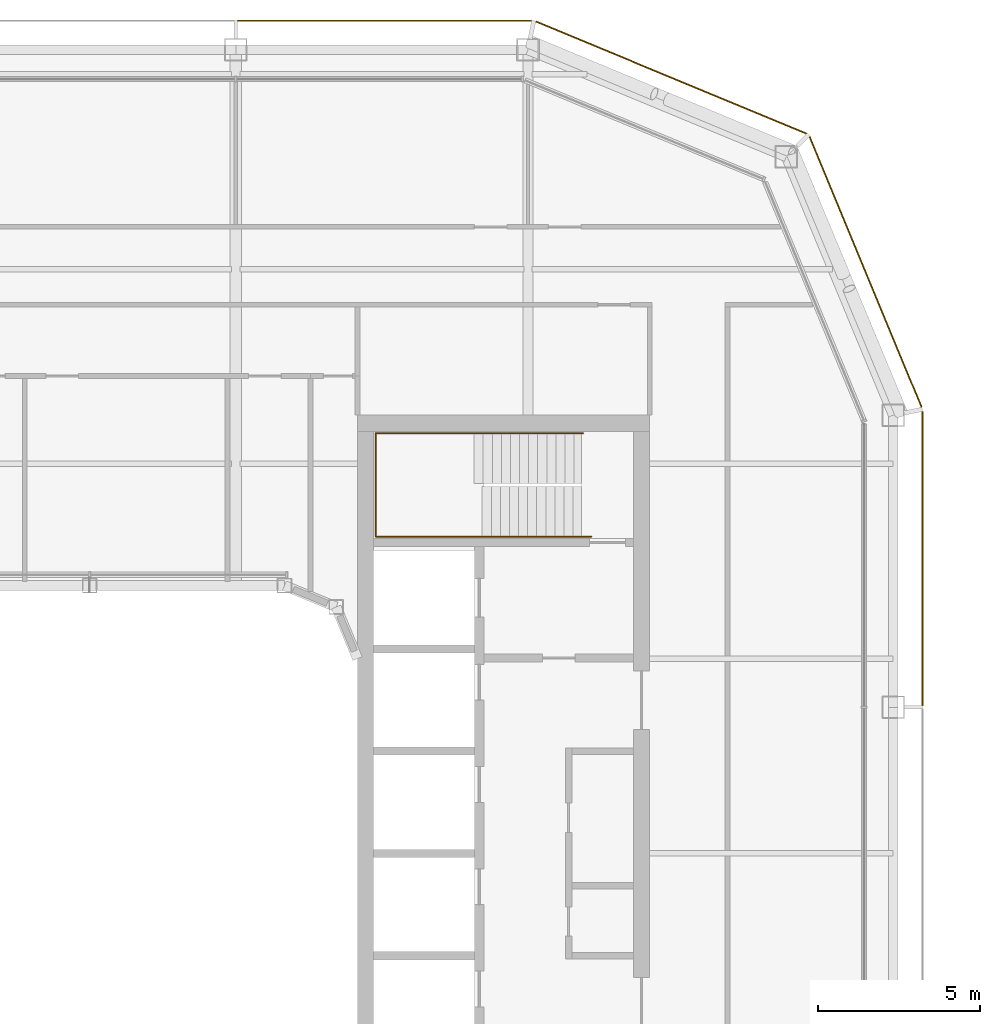
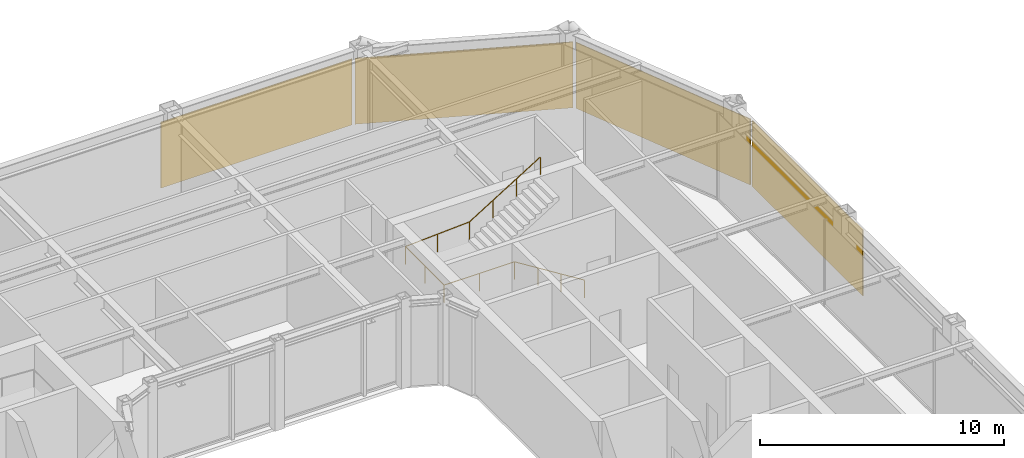
# One storey, part 20 of 21: 4 coverings, 1 railing.
"""IFC4 building model written with IfcOpenShell, lengths in metres."""

from ifc_helpers import new_model, si_unit, direction, frame, origin, origin_2d, place, context, subcontext, project, spatial, rectangle, circle, extrude, material, layer, layer_set, type_object, element, save


model = new_model("IFC4")

# Units and contexts
model_context = context("Model", 3, precision=1e-05, world=origin(), true_north=direction((0.0, 1.0)))
body_context = subcontext(model_context, "Body", "Model", "MODEL_VIEW")
ifc_project = project(units=[si_unit("LENGTHUNIT", "METRE"), si_unit("AREAUNIT", "SQUARE_METRE"), si_unit("VOLUMEUNIT", "CUBIC_METRE"), si_unit("PLANEANGLEUNIT", "RADIAN"), si_unit("MASSUNIT", "GRAM", prefix="KILO")], contexts=[model_context])

# Site, building, storey
site_placement = place(None, origin())
site = spatial("IfcSite", under=ifc_project, at=site_placement, CompositionType="ELEMENT")
building_placement = place(site_placement, origin())
building = spatial("IfcBuilding", under=site, at=building_placement, Name="Siwar Civic Tower", CompositionType="ELEMENT")
storey_placement = place(building_placement, frame((0.0, 0.0, 339.199951171875)))
storey = spatial("IfcBuildingStorey", under=building, at=storey_placement, Name="L73", CompositionType="ELEMENT", Elevation=339.199951171875)

# Railing
ifc_material_1 = material(Name="Stainless steel", Category="steel")
railing_type = type_object("IfcRailingType", Name="CORE-STAIR-HANDRAIL", PredefinedType="HANDRAIL", material=ifc_material_1)
railing_placement = place(storey_placement, frame((15.449951171875, 9.758056640625, 0.173095703125)))
element("IfcRailing", 1, at=railing_placement, inside=storey, type_object=railing_type, Name="Stair handrail ST3", PredefinedType="HANDRAIL", context=body_context, shape_type="SweptSolid", body=[
    extrude(circle(Radius=0.02001953125, at=origin_2d()), frame((0.0, 0.0, 0.8798828125), z_axis=(-0.847063342986, 0.0, 0.531491950051), x_axis=(0.0, -1.0, 0.0)), (0.0, 0.0, 1.0), 3.90771484375),
    extrude(circle(Radius=0.02001953125, at=origin_2d()), frame((-3.31005859375, 0.0, 2.956787109375), z_axis=(-1.0, 0.0, 0.0), x_axis=(0.0, -1.0, 0.0)), (0.0, 0.0, 1.0), 3.331787109375),
    extrude(circle(Radius=0.02001953125, at=origin_2d()), frame((-6.641845703125, 0.0, 2.956787109375), z_axis=(0.0, 1.0, 0.0), x_axis=(-1.0, 0.0, 0.0)), (0.0, 0.0, 1.0), 3.183837890625),
    extrude(circle(Radius=0.02001953125, at=origin_2d()), frame((-6.641845703125, 3.183837890625, 2.956787109375), z_axis=(0.99837434197, 0.0, 0.056997134106), x_axis=(0.0, 1.0, 0.0)), (0.0, 0.0, 1.0), 3.036865234375),
    extrude(circle(Radius=0.02001953125, at=origin_2d()), frame((-3.60986328125, 3.183837890625, 3.1298828125), z_axis=(0.850606129759, 0.0, 0.525803396734), x_axis=(0.0, 1.0, 0.0)), (0.0, 0.0, 1.0), 3.949951171875),
    extrude(circle(Radius=0.02001953125, at=origin_2d()), origin(), (0.0, 0.0, 1.0), 0.85986328125),
    extrude(circle(Radius=0.02001953125, at=origin_2d()), frame((-1.103271484375, 0.0, 0.6923828125)), (0.0, 0.0, 1.0), 0.85986328125),
    extrude(circle(Radius=0.02001953125, at=origin_2d()), frame((-2.206787109375, 0.0, 1.384521484375)), (0.0, 0.0, 1.0), 0.85986328125),
    extrude(circle(Radius=0.02001953125, at=origin_2d()), frame((-3.31005859375, 0.0, 2.076904296875)), (0.0, 0.0, 1.0), 0.85986328125),
    extrude(circle(Radius=0.02001953125, at=origin_2d()), frame((-4.97607421875, 0.0, 2.076904296875)), (0.0, 0.0, 1.0), 0.85986328125),
    extrude(circle(Radius=0.02001953125, at=origin_2d()), frame((-6.641845703125, 0.0, 2.076904296875)), (0.0, 0.0, 1.0), 0.85986328125),
    extrude(circle(Radius=0.02001953125, at=origin_2d()), frame((-6.641845703125, 1.591796875, 2.076904296875)), (0.0, 0.0, 1.0), 0.85986328125),
    extrude(circle(Radius=0.02001953125, at=origin_2d()), frame((-6.641845703125, 3.183837890625, 2.076904296875)), (0.0, 0.0, 1.0), 0.85986328125),
    extrude(circle(Radius=0.02001953125, at=origin_2d()), frame((-5.1259765625, 3.183837890625, 2.16357421875)), (0.0, 0.0, 1.0), 0.85986328125),
    extrude(circle(Radius=0.02001953125, at=origin_2d()), frame((-3.60986328125, 3.183837890625, 2.25)), (0.0, 0.0, 1.0), 0.85986328125),
    extrude(circle(Radius=0.02001953125, at=origin_2d()), frame((-2.489990234375, 3.183837890625, 2.9423828125)), (0.0, 0.0, 1.0), 0.85986328125),
    extrude(circle(Radius=0.02001953125, at=origin_2d()), frame((-1.369873046875, 3.183837890625, 3.634521484375)), (0.0, 0.0, 1.0), 0.85986328125),
    extrude(circle(Radius=0.02001953125, at=origin_2d()), frame((-0.25, 3.183837890625, 4.326904296875)), (0.0, 0.0, 1.0), 0.85986328125),
])

# Coverings
ifc_material_2 = material(Name="Perforated aluminium cassette, pale metal", Category="aluminium")
ifc_layer = layer(ifc_material_2, 0.0400390625)
ifc_layer_set = layer_set([ifc_layer], Name="Perforated aluminium cassette, pale metal")
covering_type = type_object("IfcCoveringType", Name="ENV-OUTER SKIN OS-1", PredefinedType="CLADDING", material=ifc_layer_set)
covering_1_placement = place(storey_placement, frame((25.64990234375, 9.07958984375, -0.14990234375), z_axis=(0.0, 0.0, 1.0), x_axis=(0.0, 1.0, 0.0)))
element("IfcCovering", 2, at=covering_1_placement, inside=storey, type_object=covering_type, Name="OUTER SKIN OS-1 E 3", PredefinedType="CLADDING", context=body_context, shape_type="SweptSolid", body=[
    extrude(rectangle(XDim=9.05908203125, YDim=0.0400390625, at=origin_2d()), origin(), (0.0, 0.0, 1.0), 3.300048828125),
])
for number, where, z_axis, x_axis, name in (
    (3, (23.89697265625, 17.911376953125, -0.14990234375), (0.0, 0.0, 1.0), (-0.382683432365, 0.923879532511, 0.0), "OUTER SKIN OS-1 NE1 1"),
    (4, (17.911376953125, 23.89697265625, -0.14990234375), (0.0, 0.0, 1.0), (-0.923879532511, 0.382683432365, 0.0), "OUTER SKIN OS-1 NE2 1"),
):
    element("IfcCovering", number, at=place(storey_placement, frame(where, z_axis=z_axis, x_axis=x_axis)), inside=storey, type_object=covering_type, Name=name, PredefinedType="CLADDING", context=body_context, shape_type="SweptSolid", body=[
        extrude(rectangle(XDim=9.022216796875, YDim=0.0400390625, at=origin_2d()), origin(), (0.0, 0.0, 1.0), 3.300048828125),
    ])
covering_2_placement = place(storey_placement, frame((9.07958984375, 25.64990234375, -0.14990234375), z_axis=(0.0, 0.0, 1.0), x_axis=(-1.0, 0.0, 0.0)))
element("IfcCovering", 5, at=covering_2_placement, inside=storey, type_object=covering_type, Name="OUTER SKIN OS-1 N 1", PredefinedType="CLADDING", context=body_context, shape_type="SweptSolid", body=[
    extrude(rectangle(XDim=9.05908203125, YDim=0.0400390625, at=origin_2d()), origin(), (0.0, 0.0, 1.0), 3.300048828125),
])

save(model, "model.ifc")
